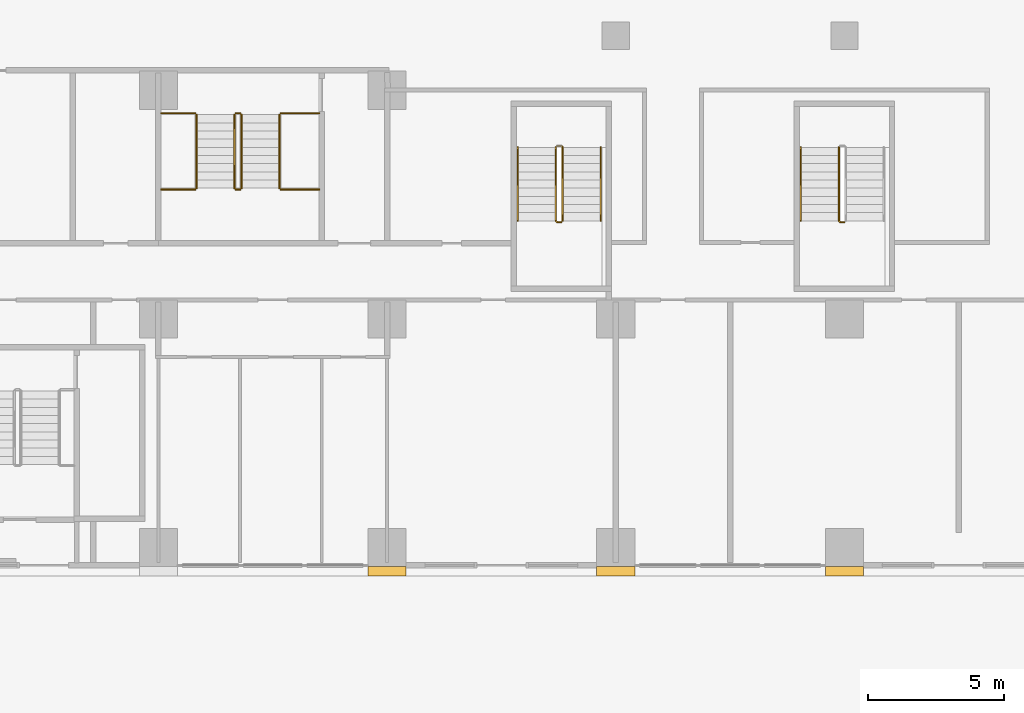
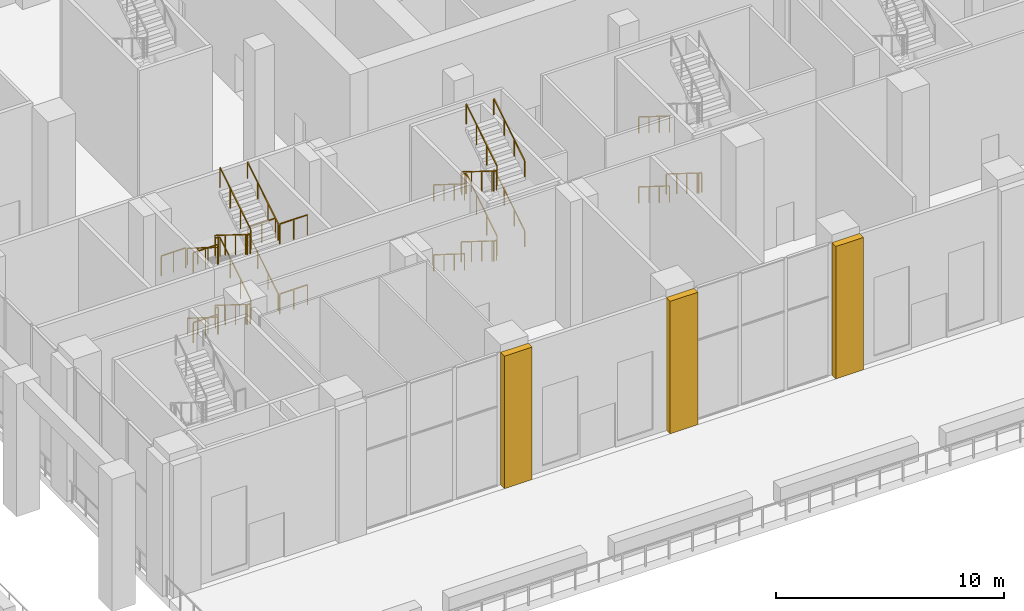
# One storey, part 37 of 53: 26 railings, 3 coverings.
"""IFC4 building model written with IfcOpenShell, lengths in metres."""

import ifcopenshell
import ifcopenshell.guid

model = None  # the IFC model being written
_history = None  # IfcOwnerHistory: only IFC2X3 demands one
_inside = {}  # id of a spatial element -> (the spatial element, [elements in it])
_under = {}  # id of a project, library or spatial element -> (it, [spatial elements below it])
_declared = {}  # id of a project -> (the project, [libraries it declares])
_typed = {}  # id of a type object -> (the type object, [elements of that type])
_made_of = {}  # id of a material, layer set ... -> (it, [elements and type objects made of it])


def new_model(schema):
    """Start an empty IFC model of exactly this schema.

    Asked for "IFC4X3", IfcOpenShell would pick the latest addendum, in which some entities
    have other attributes; the version numbers below select the first issue.
    IFC2X3 requires an IfcOwnerHistory on every rooted entity: one is made here for all.
    """
    global model, _history
    if schema == "IFC4X3":
        model = ifcopenshell.file(schema_version=(4, 3, 0, 0))
    else:
        model = ifcopenshell.file(schema=schema)
    _inside.clear()
    _under.clear()
    _declared.clear()
    _typed.clear()
    _made_of.clear()
    _history = None
    if model.schema == "IFC2X3":
        org = make("IfcOrganization", Name="unknown")
        user = make(
            "IfcPersonAndOrganization",
            ThePerson=make("IfcPerson", FamilyName="unknown"),
            TheOrganization=org,
        )
        app = make(
            "IfcApplication",
            ApplicationDeveloper=org,
            Version="unknown",
            ApplicationFullName="unknown",
            ApplicationIdentifier="unknown",
        )
        _history = make(
            "IfcOwnerHistory",
            OwningUser=user,
            OwningApplication=app,
            ChangeAction="ADDED",
            CreationDate=0,
        )
    return model


def make(cls, **values):
    """One entity of the class cls with the attributes given. An attribute that is None is left unset."""
    return model.create_entity(
        cls, **{name: value for name, value in values.items() if value is not None}
    )


def rooted(cls, **values):
    """An entity with a GlobalId (a new one), such as an element, a storey or a relation."""
    return make(cls, GlobalId=ifcopenshell.guid.new(), OwnerHistory=_history, **values)


def si_unit(unit_type, name, prefix=None):
    """IfcSIUnit, for example si_unit("LENGTHUNIT", "METRE", prefix="MILLI")."""
    return make("IfcSIUnit", UnitType=unit_type, Prefix=prefix, Name=name)


def assignment(units):
    """IfcUnitAssignment: the units of a project."""
    return None if units is None else make("IfcUnitAssignment", Units=units)


def point(xyz):
    """IfcCartesianPoint."""
    return None if xyz is None else make("IfcCartesianPoint", Coordinates=xyz)


def direction(xyz):
    """IfcDirection."""
    return None if xyz is None else make("IfcDirection", DirectionRatios=xyz)


def frame(location, z_axis=None, x_axis=None):
    """IfcAxis2Placement3D, a coordinate frame: its origin and axes. An axis left out is left unset."""
    return make(
        "IfcAxis2Placement3D",
        Location=point(location),
        Axis=direction(z_axis),
        RefDirection=direction(x_axis),
    )


def frame_2d(location, x_axis=None):
    """IfcAxis2Placement2D, a coordinate frame in the plane: its origin and x axis."""
    return make(
        "IfcAxis2Placement2D", Location=point(location), RefDirection=direction(x_axis)
    )


def origin():
    """The frame at (0, 0, 0) with its axes left unset."""
    return frame((0.0, 0.0, 0.0))


def origin_2d():
    """The frame at (0, 0) in the plane with its x axis left unset."""
    return frame_2d((0.0, 0.0))


def place(relative_to, where):
    """IfcLocalPlacement: puts the frame where relative to a parent placement (None: the world)."""
    return make(
        "IfcLocalPlacement", PlacementRelTo=relative_to, RelativePlacement=where
    )


def context(
    kind, dimensions, precision=None, world=None, true_north=None, identifier=None
):
    """IfcGeometricRepresentationContext, for example the 3D "Model" context."""
    return make(
        "IfcGeometricRepresentationContext",
        ContextIdentifier=identifier,
        ContextType=kind,
        CoordinateSpaceDimension=dimensions,
        Precision=precision,
        WorldCoordinateSystem=world,
        TrueNorth=true_north,
    )


def subcontext(parent, identifier, kind, view, scale=None):
    """IfcGeometricRepresentationSubContext, for example "Body" below "Model"."""
    return make(
        "IfcGeometricRepresentationSubContext",
        ContextIdentifier=identifier,
        ContextType=kind,
        ParentContext=parent,
        TargetScale=scale,
        TargetView=view,
    )


def project(units=None, contexts=None):
    """IfcProject with its units and contexts."""
    return rooted(
        "IfcProject",
        Name="project",
        RepresentationContexts=contexts,
        UnitsInContext=assignment(units),
    )


def spatial(cls, under=None, at=None, **own):
    """A site, building, storey or space (cls), placed at a placement, below another one or the project."""
    s = rooted(cls, ObjectPlacement=at, **own)
    if under is not None:
        _under.setdefault(under.id(), (under, []))[1].append(s)
    return s


def polyline(points):
    """IfcPolyline through the points."""
    return make("IfcPolyline", Points=[point(p) for p in points])


def profile(cls, at=None, kind="AREA", **sizes):
    """A parametric profile (cls). Its sizes go by their IFC names, for example OverallWidth=200.0."""
    return make(cls, ProfileType=kind, Position=at, **sizes)


def rectangle(**sizes):
    """IfcRectangleProfileDef."""
    return profile("IfcRectangleProfileDef", **sizes)


def outline(outer, holes=None, kind="AREA"):
    """IfcArbitraryClosedProfileDef: a profile drawn as a closed curve; with holes, ...WithVoids."""
    if holes is None:
        return make("IfcArbitraryClosedProfileDef", ProfileType=kind, OuterCurve=outer)
    return make(
        "IfcArbitraryProfileDefWithVoids",
        ProfileType=kind,
        OuterCurve=outer,
        InnerCurves=holes,
    )


def extrude(swept, where, along, depth):
    """IfcExtrudedAreaSolid: the profile swept, set in the frame where, extruded along a direction by depth."""
    return make(
        "IfcExtrudedAreaSolid",
        SweptArea=swept,
        Position=where,
        ExtrudedDirection=direction(along),
        Depth=depth,
    )


def shape(context_of_items, identifier, shape_type, items):
    """IfcShapeRepresentation: the items that make up one representation, for example the "Body"."""
    return make(
        "IfcShapeRepresentation",
        ContextOfItems=context_of_items,
        RepresentationIdentifier=identifier,
        RepresentationType=shape_type,
        Items=items,
    )


def material(Name=None, Category=None):
    """IfcMaterial."""
    return make("IfcMaterial", Name=Name, Category=Category)


def made_of(thing, what):
    """Note that an element or type object is made of a material, layer set ...; save() writes the relation."""
    if what is not None:
        _made_of.setdefault(what.id(), (what, []))[1].append(thing)
    return thing


def type_object(cls, material=None, **own):
    """A type object (cls), such as IfcWallType, which elements share."""
    return made_of(rooted(cls, **own), material)


def element(
    cls,
    number,
    at=None,
    inside=None,
    cuts=None,
    type_object=None,
    material=None,
    context=None,
    identifier="Body",
    shape_type=None,
    held_by="IfcProductDefinitionShape",
    body=None,
    shapes=None,
    **own,
):
    """One element of the class cls, such as IfcWall. Its Tag is "e" and its number.

    at: its placement. inside: the storey or other place that contains it. cuts: it is an
    opening in that element (IfcRelVoidsElement). A single representation is given by context,
    identifier, shape_type and body (its items); several are given by shapes. held_by: the class
    of the entity that holds the representations. save() writes the other relations.
    """
    e = rooted(cls, Tag="e%d" % number, ObjectPlacement=at, **own)
    if body is not None:
        shapes = [shape(context, identifier, shape_type, body)]
    if shapes is not None:
        e.Representation = make(held_by, Representations=shapes)
    if inside is not None:
        _inside.setdefault(inside.id(), (inside, []))[1].append(e)
    if cuts is not None:
        rooted(
            "IfcRelVoidsElement", RelatingBuildingElement=cuts, RelatedOpeningElement=e
        )
    if type_object is not None:
        _typed.setdefault(type_object.id(), (type_object, []))[1].append(e)
    return made_of(e, material)


def aggregate(whole, parts):
    """IfcRelAggregates: a whole, such as a stair, and the parts it consists of."""
    return rooted("IfcRelAggregates", RelatingObject=whole, RelatedObjects=parts)


def save(model, path):
    """Write the relations noted so far, then the file.

    IfcRelAggregates (storeys below a building ...), IfcRelContainedInSpatialStructure (elements
    in a storey), IfcRelDefinesByType, IfcRelAssociatesMaterial and IfcRelDeclares: one each for
    every whole, place, type object, material and project.
    """
    for whole, parts in _under.values():
        aggregate(whole, parts)
    for where, things in _inside.values():
        rooted(
            "IfcRelContainedInSpatialStructure",
            RelatedElements=things,
            RelatingStructure=where,
        )
    for kind, things in _typed.values():
        rooted("IfcRelDefinesByType", RelatedObjects=things, RelatingType=kind)
    for what, things in _made_of.values():
        rooted("IfcRelAssociatesMaterial", RelatedObjects=things, RelatingMaterial=what)
    for by, libraries in _declared.values():
        rooted("IfcRelDeclares", RelatingContext=by, RelatedDefinitions=libraries)
    model.write(path)


model = new_model("IFC4")

# Units and contexts
model_context = context("Model", 3, precision=1e-05, world=origin(), true_north=direction((0.0, 1.0)))
body_context = subcontext(model_context, "Body", "Model", "MODEL_VIEW")
ifc_project = project(units=[si_unit("LENGTHUNIT", "METRE"), si_unit("AREAUNIT", "SQUARE_METRE"), si_unit("VOLUMEUNIT", "CUBIC_METRE"), si_unit("PLANEANGLEUNIT", "RADIAN"), si_unit("MASSUNIT", "GRAM", prefix="KILO")], contexts=[model_context])

# Site, building, storey
site_placement = place(None, origin())
site = spatial("IfcSite", under=ifc_project, at=site_placement, CompositionType="ELEMENT")
building_placement = place(site_placement, origin())
building = spatial("IfcBuilding", under=site, at=building_placement, Name="Vermilion Ogive Tower", CompositionType="ELEMENT")
storey_placement = place(building_placement, origin())
storey = spatial("IfcBuildingStorey", under=building, at=storey_placement, Name="L00", CompositionType="ELEMENT", Elevation=0.0)

# Railings
ifc_material_1 = material(Name="Steel S355 painted", Category="steel")
railing_type_1 = type_object("IfcRailingType", Name="Stair guard 1100", PredefinedType="GUARDRAIL", material=ifc_material_1)
railing_1_placement = place(storey_placement, frame((-10.60009765625, -14.699951171875, 0.1875)))
element("IfcRailing", 1, at=railing_1_placement, inside=storey, type_object=railing_type_1, Name="L00 ST3 stair guard 1", PredefinedType="GUARDRAIL", context=body_context, shape_type="SweptSolid", body=[
    extrude(rectangle(XDim=0.048095703125, YDim=0.048095703125, at=origin_2d()), frame((0.0, 0.0, 1.076171875), z_axis=(0.0, -0.847993996163, 0.530005832488), x_axis=(1.0, 0.0, 0.0)), (0.0, 0.0, 1.0), 3.183837890625),
    extrude(rectangle(XDim=0.048095703125, YDim=0.048095703125, at=origin_2d()), frame((0.0, -2.699951171875, 2.763671875), z_axis=(0.707106781187, -0.707106781187, 0.0), x_axis=(0.707106781187, 0.707106781187, 0.0)), (0.0, 0.0, 1.0), 0.07080078125),
    extrude(rectangle(XDim=0.048095703125, YDim=0.048095703125, at=origin_2d()), frame((0.050048828125, -2.75, 2.763671875), z_axis=(1.0, 0.0, 0.0), x_axis=(0.0, 1.0, 0.0)), (0.0, 0.0, 1.0), 0.150146484375),
    extrude(rectangle(XDim=0.0419921875, YDim=0.0419921875, at=origin_2d()), origin(), (0.0, 0.0, 1.0), 1.052001953125),
    extrude(rectangle(XDim=0.0419921875, YDim=0.0419921875, at=origin_2d()), frame((0.0, -0.89990234375, 0.5625)), (0.0, 0.0, 1.0), 1.052001953125),
    extrude(rectangle(XDim=0.0419921875, YDim=0.0419921875, at=origin_2d()), frame((0.0, -1.800048828125, 1.125)), (0.0, 0.0, 1.0), 1.052001953125),
    extrude(rectangle(XDim=0.0419921875, YDim=0.0419921875, at=origin_2d()), frame((0.0, -2.699951171875, 1.6875)), (0.0, 0.0, 1.0), 1.052001953125),
    extrude(rectangle(XDim=0.0419921875, YDim=0.0419921875, at=origin_2d()), frame((0.050048828125, -2.75, 1.6875)), (0.0, 0.0, 1.0), 1.052001953125),
    extrude(rectangle(XDim=0.0419921875, YDim=0.0419921875, at=origin_2d()), frame((0.2001953125, -2.75, 1.6875)), (0.0, 0.0, 1.0), 1.052001953125),
])
railing_2_placement = place(storey_placement, frame((-10.35009765625, -17.39990234375, 2.0625)))
element("IfcRailing", 2, at=railing_2_placement, inside=storey, type_object=railing_type_1, Name="L00 ST3 stair guard 3", PredefinedType="GUARDRAIL", context=body_context, shape_type="SweptSolid", body=[
    extrude(rectangle(XDim=0.048095703125, YDim=0.048095703125, at=origin_2d()), frame((0.0, 0.0, 1.076171875), z_axis=(0.0, 0.847993996163, 0.530005832488), x_axis=(-1.0, 0.0, 0.0)), (0.0, 0.0, 1.0), 3.183837890625),
    extrude(rectangle(XDim=0.048095703125, YDim=0.048095703125, at=origin_2d()), frame((0.0, 2.699951171875, 2.763671875), z_axis=(-0.705375805398, 0.708833529934, 0.0), x_axis=(-0.708833529934, -0.705375805398, 0.0)), (0.0, 0.0, 1.0), 0.070556640625),
    extrude(rectangle(XDim=0.048095703125, YDim=0.048095703125, at=origin_2d()), frame((-0.0498046875, 2.75, 2.763671875), z_axis=(-1.0, 0.0, 0.0), x_axis=(0.0, -1.0, 0.0)), (0.0, 0.0, 1.0), 0.150146484375),
    extrude(rectangle(XDim=0.0419921875, YDim=0.0419921875, at=origin_2d()), origin(), (0.0, 0.0, 1.0), 1.052001953125),
    extrude(rectangle(XDim=0.0419921875, YDim=0.0419921875, at=origin_2d()), frame((0.0, 0.89990234375, 0.5625)), (0.0, 0.0, 1.0), 1.052001953125),
    extrude(rectangle(XDim=0.0419921875, YDim=0.0419921875, at=origin_2d()), frame((0.0, 1.800048828125, 1.125)), (0.0, 0.0, 1.0), 1.052001953125),
    extrude(rectangle(XDim=0.0419921875, YDim=0.0419921875, at=origin_2d()), frame((0.0, 2.699951171875, 1.6875)), (0.0, 0.0, 1.0), 1.052001953125),
    extrude(rectangle(XDim=0.0419921875, YDim=0.0419921875, at=origin_2d()), frame((-0.0498046875, 2.75, 1.6875)), (0.0, 0.0, 1.0), 1.052001953125),
    extrude(rectangle(XDim=0.0419921875, YDim=0.0419921875, at=origin_2d()), frame((-0.199951171875, 2.75, 1.6875)), (0.0, 0.0, 1.0), 1.052001953125),
])
railing_3_placement = place(storey_placement, frame((-10.60009765625, -14.699951171875, 3.9375)))
element("IfcRailing", 3, at=railing_3_placement, inside=storey, type_object=railing_type_1, Name="L00 ST3 stair guard 5", PredefinedType="GUARDRAIL", context=body_context, shape_type="SweptSolid", body=[
    extrude(rectangle(XDim=0.048095703125, YDim=0.048095703125, at=origin_2d()), frame((0.0, 0.0, 1.076171875), z_axis=(0.0, -0.847993996163, 0.530005832488), x_axis=(1.0, 0.0, 0.0)), (0.0, 0.0, 1.0), 3.183837890625),
    extrude(rectangle(XDim=0.048095703125, YDim=0.048095703125, at=origin_2d()), frame((0.0, -2.699951171875, 2.763671875), z_axis=(0.707106781187, -0.707106781187, 0.0), x_axis=(0.707106781187, 0.707106781187, 0.0)), (0.0, 0.0, 1.0), 0.07080078125),
    extrude(rectangle(XDim=0.048095703125, YDim=0.048095703125, at=origin_2d()), frame((0.050048828125, -2.75, 2.763671875), z_axis=(1.0, 0.0, 0.0), x_axis=(0.0, 1.0, 0.0)), (0.0, 0.0, 1.0), 0.150146484375),
    extrude(rectangle(XDim=0.0419921875, YDim=0.0419921875, at=origin_2d()), origin(), (0.0, 0.0, 1.0), 1.052001953125),
    extrude(rectangle(XDim=0.0419921875, YDim=0.0419921875, at=origin_2d()), frame((0.0, -0.89990234375, 0.5625)), (0.0, 0.0, 1.0), 1.052001953125),
    extrude(rectangle(XDim=0.0419921875, YDim=0.0419921875, at=origin_2d()), frame((0.0, -1.800048828125, 1.125)), (0.0, 0.0, 1.0), 1.052001953125),
    extrude(rectangle(XDim=0.0419921875, YDim=0.0419921875, at=origin_2d()), frame((0.0, -2.699951171875, 1.6875)), (0.0, 0.0, 1.0), 1.052001953125),
    extrude(rectangle(XDim=0.0419921875, YDim=0.0419921875, at=origin_2d()), frame((0.050048828125, -2.75, 1.6875)), (0.0, 0.0, 1.0), 1.052001953125),
    extrude(rectangle(XDim=0.0419921875, YDim=0.0419921875, at=origin_2d()), frame((0.2001953125, -2.75, 1.6875)), (0.0, 0.0, 1.0), 1.052001953125),
])
railing_4_placement = place(storey_placement, frame((-10.35009765625, -17.39990234375, 5.8125)))
element("IfcRailing", 4, at=railing_4_placement, inside=storey, type_object=railing_type_1, Name="L00 ST3 stair guard 7", PredefinedType="GUARDRAIL", context=body_context, shape_type="SweptSolid", body=[
    extrude(rectangle(XDim=0.048095703125, YDim=0.048095703125, at=origin_2d()), frame((0.0, 0.0, 1.076171875), z_axis=(0.0, 0.847993996163, 0.530005832488), x_axis=(-1.0, 0.0, 0.0)), (0.0, 0.0, 1.0), 3.183837890625),
    extrude(rectangle(XDim=0.0419921875, YDim=0.0419921875, at=origin_2d()), origin(), (0.0, 0.0, 1.0), 1.052001953125),
    extrude(rectangle(XDim=0.0419921875, YDim=0.0419921875, at=origin_2d()), frame((0.0, 0.89990234375, 0.5625)), (0.0, 0.0, 1.0), 1.052001953125),
    extrude(rectangle(XDim=0.0419921875, YDim=0.0419921875, at=origin_2d()), frame((0.0, 1.800048828125, 1.125)), (0.0, 0.0, 1.0), 1.052001953125),
    extrude(rectangle(XDim=0.0419921875, YDim=0.0419921875, at=origin_2d()), frame((0.0, 2.699951171875, 1.6875)), (0.0, 0.0, 1.0), 1.052001953125),
])
railing_5_placement = place(storey_placement, frame((-0.199951171875, -14.699951171875, 0.1875)))
element("IfcRailing", 5, at=railing_5_placement, inside=storey, type_object=railing_type_1, Name="L00 ST4 stair guard 1", PredefinedType="GUARDRAIL", context=body_context, shape_type="SweptSolid", body=[
    extrude(rectangle(XDim=0.048095703125, YDim=0.048095703125, at=origin_2d()), frame((0.0, 0.0, 1.076171875), z_axis=(0.0, -0.847993996163, 0.530005832488), x_axis=(1.0, 0.0, 0.0)), (0.0, 0.0, 1.0), 3.183837890625),
    extrude(rectangle(XDim=0.048095703125, YDim=0.048095703125, at=origin_2d()), frame((0.0, -2.699951171875, 2.763671875), z_axis=(0.707106781187, -0.707106781187, 0.0), x_axis=(0.707106781187, 0.707106781187, 0.0)), (0.0, 0.0, 1.0), 0.07080078125),
    extrude(rectangle(XDim=0.048095703125, YDim=0.048095703125, at=origin_2d()), frame((0.050048828125, -2.75, 2.763671875), z_axis=(1.0, 0.0, 0.0), x_axis=(0.0, 1.0, 0.0)), (0.0, 0.0, 1.0), 0.14990234375),
    extrude(rectangle(XDim=0.0419921875, YDim=0.0419921875, at=origin_2d()), origin(), (0.0, 0.0, 1.0), 1.052001953125),
    extrude(rectangle(XDim=0.0419921875, YDim=0.0419921875, at=origin_2d()), frame((0.0, -0.89990234375, 0.5625)), (0.0, 0.0, 1.0), 1.052001953125),
    extrude(rectangle(XDim=0.0419921875, YDim=0.0419921875, at=origin_2d()), frame((0.0, -1.800048828125, 1.125)), (0.0, 0.0, 1.0), 1.052001953125),
    extrude(rectangle(XDim=0.0419921875, YDim=0.0419921875, at=origin_2d()), frame((0.0, -2.699951171875, 1.6875)), (0.0, 0.0, 1.0), 1.052001953125),
    extrude(rectangle(XDim=0.0419921875, YDim=0.0419921875, at=origin_2d()), frame((0.050048828125, -2.75, 1.6875)), (0.0, 0.0, 1.0), 1.052001953125),
    extrude(rectangle(XDim=0.0419921875, YDim=0.0419921875, at=origin_2d()), frame((0.199951171875, -2.75, 1.6875)), (0.0, 0.0, 1.0), 1.052001953125),
])
railing_6_placement = place(storey_placement, frame((-22.39990234375, -13.5, 0.1875)))
element("IfcRailing", 6, at=railing_6_placement, inside=storey, type_object=railing_type_1, Name="L00 PS4 stair guard 1", PredefinedType="GUARDRAIL", context=body_context, shape_type="SweptSolid", body=[
    extrude(rectangle(XDim=0.048095703125, YDim=0.048095703125, at=origin_2d()), frame((0.0, 0.0, 1.076171875), z_axis=(0.0, -0.847993996163, 0.530005832488), x_axis=(1.0, 0.0, 0.0)), (0.0, 0.0, 1.0), 3.183837890625),
    extrude(rectangle(XDim=0.048095703125, YDim=0.048095703125, at=origin_2d()), frame((0.0, -2.699951171875, 2.763671875), z_axis=(0.705375805398, -0.708833529934, 0.0), x_axis=(0.708833529934, 0.705375805398, 0.0)), (0.0, 0.0, 1.0), 0.070556640625),
    extrude(rectangle(XDim=0.048095703125, YDim=0.048095703125, at=origin_2d()), frame((0.0498046875, -2.75, 2.763671875), z_axis=(1.0, 0.0, 0.0), x_axis=(0.0, 1.0, 0.0)), (0.0, 0.0, 1.0), 0.150146484375),
    extrude(rectangle(XDim=0.0419921875, YDim=0.0419921875, at=origin_2d()), origin(), (0.0, 0.0, 1.0), 1.052001953125),
    extrude(rectangle(XDim=0.0419921875, YDim=0.0419921875, at=origin_2d()), frame((0.0, -0.89990234375, 0.5625)), (0.0, 0.0, 1.0), 1.052001953125),
    extrude(rectangle(XDim=0.0419921875, YDim=0.0419921875, at=origin_2d()), frame((0.0, -1.800048828125, 1.125)), (0.0, 0.0, 1.0), 1.052001953125),
    extrude(rectangle(XDim=0.0419921875, YDim=0.0419921875, at=origin_2d()), frame((0.0, -2.699951171875, 1.6875)), (0.0, 0.0, 1.0), 1.052001953125),
    extrude(rectangle(XDim=0.0419921875, YDim=0.0419921875, at=origin_2d()), frame((0.0498046875, -2.75, 1.6875)), (0.0, 0.0, 1.0), 1.052001953125),
    extrude(rectangle(XDim=0.0419921875, YDim=0.0419921875, at=origin_2d()), frame((0.199951171875, -2.75, 1.6875)), (0.0, 0.0, 1.0), 1.052001953125),
])
railing_7_placement = place(storey_placement, frame((-22.14990234375, -16.199951171875, 2.0625)))
element("IfcRailing", 7, at=railing_7_placement, inside=storey, type_object=railing_type_1, Name="L00 PS4 stair guard 3", PredefinedType="GUARDRAIL", context=body_context, shape_type="SweptSolid", body=[
    extrude(rectangle(XDim=0.048095703125, YDim=0.048095703125, at=origin_2d()), frame((0.0, 0.0, 1.076171875), z_axis=(0.0, 0.847993996163, 0.530005832488), x_axis=(-1.0, 0.0, 0.0)), (0.0, 0.0, 1.0), 3.183837890625),
    extrude(rectangle(XDim=0.048095703125, YDim=0.048095703125, at=origin_2d()), frame((0.0, 2.699951171875, 2.763671875), z_axis=(-0.707106781187, 0.707106781187, 0.0), x_axis=(-0.707106781187, -0.707106781187, 0.0)), (0.0, 0.0, 1.0), 0.07080078125),
    extrude(rectangle(XDim=0.048095703125, YDim=0.048095703125, at=origin_2d()), frame((-0.050048828125, 2.75, 2.763671875), z_axis=(-1.0, 0.0, 0.0), x_axis=(0.0, -1.0, 0.0)), (0.0, 0.0, 1.0), 0.150146484375),
    extrude(rectangle(XDim=0.0419921875, YDim=0.0419921875, at=origin_2d()), origin(), (0.0, 0.0, 1.0), 1.052001953125),
    extrude(rectangle(XDim=0.0419921875, YDim=0.0419921875, at=origin_2d()), frame((0.0, 0.89990234375, 0.5625)), (0.0, 0.0, 1.0), 1.052001953125),
    extrude(rectangle(XDim=0.0419921875, YDim=0.0419921875, at=origin_2d()), frame((0.0, 1.800048828125, 1.125)), (0.0, 0.0, 1.0), 1.052001953125),
    extrude(rectangle(XDim=0.0419921875, YDim=0.0419921875, at=origin_2d()), frame((0.0, 2.699951171875, 1.6875)), (0.0, 0.0, 1.0), 1.052001953125),
    extrude(rectangle(XDim=0.0419921875, YDim=0.0419921875, at=origin_2d()), frame((-0.050048828125, 2.75, 1.6875)), (0.0, 0.0, 1.0), 1.052001953125),
    extrude(rectangle(XDim=0.0419921875, YDim=0.0419921875, at=origin_2d()), frame((-0.2001953125, 2.75, 1.6875)), (0.0, 0.0, 1.0), 1.052001953125),
])
railing_8_placement = place(storey_placement, frame((-22.39990234375, -13.5, 3.9375)))
element("IfcRailing", 8, at=railing_8_placement, inside=storey, type_object=railing_type_1, Name="L00 PS4 stair guard 5", PredefinedType="GUARDRAIL", context=body_context, shape_type="SweptSolid", body=[
    extrude(rectangle(XDim=0.048095703125, YDim=0.048095703125, at=origin_2d()), frame((0.0, 0.0, 1.076171875), z_axis=(0.0, -0.847993996163, 0.530005832488), x_axis=(1.0, 0.0, 0.0)), (0.0, 0.0, 1.0), 3.183837890625),
    extrude(rectangle(XDim=0.048095703125, YDim=0.048095703125, at=origin_2d()), frame((0.0, -2.699951171875, 2.763671875), z_axis=(0.705375805398, -0.708833529934, 0.0), x_axis=(0.708833529934, 0.705375805398, 0.0)), (0.0, 0.0, 1.0), 0.070556640625),
    extrude(rectangle(XDim=0.048095703125, YDim=0.048095703125, at=origin_2d()), frame((0.0498046875, -2.75, 2.763671875), z_axis=(1.0, 0.0, 0.0), x_axis=(0.0, 1.0, 0.0)), (0.0, 0.0, 1.0), 0.150146484375),
    extrude(rectangle(XDim=0.0419921875, YDim=0.0419921875, at=origin_2d()), origin(), (0.0, 0.0, 1.0), 1.052001953125),
    extrude(rectangle(XDim=0.0419921875, YDim=0.0419921875, at=origin_2d()), frame((0.0, -0.89990234375, 0.5625)), (0.0, 0.0, 1.0), 1.052001953125),
    extrude(rectangle(XDim=0.0419921875, YDim=0.0419921875, at=origin_2d()), frame((0.0, -1.800048828125, 1.125)), (0.0, 0.0, 1.0), 1.052001953125),
    extrude(rectangle(XDim=0.0419921875, YDim=0.0419921875, at=origin_2d()), frame((0.0, -2.699951171875, 1.6875)), (0.0, 0.0, 1.0), 1.052001953125),
    extrude(rectangle(XDim=0.0419921875, YDim=0.0419921875, at=origin_2d()), frame((0.0498046875, -2.75, 1.6875)), (0.0, 0.0, 1.0), 1.052001953125),
    extrude(rectangle(XDim=0.0419921875, YDim=0.0419921875, at=origin_2d()), frame((0.199951171875, -2.75, 1.6875)), (0.0, 0.0, 1.0), 1.052001953125),
])
railing_9_placement = place(storey_placement, frame((-22.14990234375, -16.199951171875, 5.8125)))
element("IfcRailing", 9, at=railing_9_placement, inside=storey, type_object=railing_type_1, Name="L00 PS4 stair guard 7", PredefinedType="GUARDRAIL", context=body_context, shape_type="SweptSolid", body=[
    extrude(rectangle(XDim=0.048095703125, YDim=0.048095703125, at=origin_2d()), frame((0.0, 0.0, 1.076171875), z_axis=(0.0, 0.847993996163, 0.530005832488), x_axis=(-1.0, 0.0, 0.0)), (0.0, 0.0, 1.0), 3.183837890625),
    extrude(rectangle(XDim=0.0419921875, YDim=0.0419921875, at=origin_2d()), origin(), (0.0, 0.0, 1.0), 1.052001953125),
    extrude(rectangle(XDim=0.0419921875, YDim=0.0419921875, at=origin_2d()), frame((0.0, 0.89990234375, 0.5625)), (0.0, 0.0, 1.0), 1.052001953125),
    extrude(rectangle(XDim=0.0419921875, YDim=0.0419921875, at=origin_2d()), frame((0.0, 1.800048828125, 1.125)), (0.0, 0.0, 1.0), 1.052001953125),
    extrude(rectangle(XDim=0.0419921875, YDim=0.0419921875, at=origin_2d()), frame((0.0, 2.699951171875, 1.6875)), (0.0, 0.0, 1.0), 1.052001953125),
])
railing_10_placement = place(storey_placement, frame((-22.35009765625, -13.449951171875, 0.0)))
element("IfcRailing", 10, at=railing_10_placement, inside=storey, type_object=railing_type_1, Name="L00 PS4 stair guard 8", PredefinedType="GUARDRAIL", context=body_context, shape_type="SweptSolid", body=[
    extrude(rectangle(XDim=0.048095703125, YDim=0.048095703125, at=origin_2d()), frame((0.0, 0.0, 1.076171875), z_axis=(1.0, 0.0, 0.0), x_axis=(0.0, 1.0, 0.0)), (0.0, 0.0, 1.0), 0.150146484375),
    extrude(rectangle(XDim=0.0419921875, YDim=0.0419921875, at=origin_2d()), origin(), (0.0, 0.0, 1.0), 1.052001953125),
    extrude(rectangle(XDim=0.0419921875, YDim=0.0419921875, at=origin_2d()), frame((0.150146484375, 0.0, 0.0)), (0.0, 0.0, 1.0), 1.052001953125),
])
railing_11_placement = place(storey_placement, frame((-25.099853515625, -16.25, 1.875)))
element("IfcRailing", 11, at=railing_11_placement, inside=storey, type_object=railing_type_1, Name="L00 landing guard", PredefinedType="GUARDRAIL", context=body_context, shape_type="SweptSolid", body=[
    extrude(rectangle(XDim=0.048095703125, YDim=0.048095703125, at=origin_2d()), frame((0.0, 0.0, 1.076171875), z_axis=(1.0, 0.0, 0.0), x_axis=(0.0, 1.0, 0.0)), (0.0, 0.0, 1.0), 1.249755859375),
    extrude(rectangle(XDim=0.0419921875, YDim=0.0419921875, at=origin_2d()), origin(), (0.0, 0.0, 1.0), 1.052001953125),
    extrude(rectangle(XDim=0.0419921875, YDim=0.0419921875, at=origin_2d()), frame((0.625, 0.0, 0.0)), (0.0, 0.0, 1.0), 1.052001953125),
    extrude(rectangle(XDim=0.0419921875, YDim=0.0419921875, at=origin_2d()), frame((1.249755859375, 0.0, 0.0)), (0.0, 0.0, 1.0), 1.052001953125),
])
railing_12_placement = place(storey_placement, frame((-20.699951171875, -16.25, 1.875)))
element("IfcRailing", 12, at=railing_12_placement, inside=storey, type_object=railing_type_1, Name="L00 landing guard", PredefinedType="GUARDRAIL", context=body_context, shape_type="SweptSolid", body=[
    extrude(rectangle(XDim=0.048095703125, YDim=0.048095703125, at=origin_2d()), frame((0.0, 0.0, 1.076171875), z_axis=(1.0, 0.0, 0.0), x_axis=(0.0, 1.0, 0.0)), (0.0, 0.0, 1.0), 1.39990234375),
    extrude(rectangle(XDim=0.0419921875, YDim=0.0419921875, at=origin_2d()), origin(), (0.0, 0.0, 1.0), 1.052001953125),
    extrude(rectangle(XDim=0.0419921875, YDim=0.0419921875, at=origin_2d()), frame((0.699951171875, 0.0, 0.0)), (0.0, 0.0, 1.0), 1.052001953125),
    extrude(rectangle(XDim=0.0419921875, YDim=0.0419921875, at=origin_2d()), frame((1.39990234375, 0.0, 0.0)), (0.0, 0.0, 1.0), 1.052001953125),
])
railing_13_placement = place(storey_placement, frame((-25.099853515625, -13.449951171875, 3.75)))
element("IfcRailing", 13, at=railing_13_placement, inside=storey, type_object=railing_type_1, Name="L00 landing guard", PredefinedType="GUARDRAIL", context=body_context, shape_type="SweptSolid", body=[
    extrude(rectangle(XDim=0.048095703125, YDim=0.048095703125, at=origin_2d()), frame((0.0, 0.0, 1.076171875), z_axis=(1.0, 0.0, 0.0), x_axis=(0.0, 1.0, 0.0)), (0.0, 0.0, 1.0), 1.249755859375),
    extrude(rectangle(XDim=0.0419921875, YDim=0.0419921875, at=origin_2d()), origin(), (0.0, 0.0, 1.0), 1.052001953125),
    extrude(rectangle(XDim=0.0419921875, YDim=0.0419921875, at=origin_2d()), frame((0.625, 0.0, 0.0)), (0.0, 0.0, 1.0), 1.052001953125),
    extrude(rectangle(XDim=0.0419921875, YDim=0.0419921875, at=origin_2d()), frame((1.249755859375, 0.0, 0.0)), (0.0, 0.0, 1.0), 1.052001953125),
])
railing_14_placement = place(storey_placement, frame((-20.699951171875, -13.449951171875, 3.75)))
element("IfcRailing", 14, at=railing_14_placement, inside=storey, type_object=railing_type_1, Name="L00 landing guard", PredefinedType="GUARDRAIL", context=body_context, shape_type="SweptSolid", body=[
    extrude(rectangle(XDim=0.048095703125, YDim=0.048095703125, at=origin_2d()), frame((0.0, 0.0, 1.076171875), z_axis=(1.0, 0.0, 0.0), x_axis=(0.0, 1.0, 0.0)), (0.0, 0.0, 1.0), 1.39990234375),
    extrude(rectangle(XDim=0.0419921875, YDim=0.0419921875, at=origin_2d()), origin(), (0.0, 0.0, 1.0), 1.052001953125),
    extrude(rectangle(XDim=0.0419921875, YDim=0.0419921875, at=origin_2d()), frame((0.699951171875, 0.0, 0.0)), (0.0, 0.0, 1.0), 1.052001953125),
    extrude(rectangle(XDim=0.0419921875, YDim=0.0419921875, at=origin_2d()), frame((1.39990234375, 0.0, 0.0)), (0.0, 0.0, 1.0), 1.052001953125),
])
railing_15_placement = place(storey_placement, frame((-25.099853515625, -16.25, 5.625)))
element("IfcRailing", 15, at=railing_15_placement, inside=storey, type_object=railing_type_1, Name="L00 landing guard", PredefinedType="GUARDRAIL", context=body_context, shape_type="SweptSolid", body=[
    extrude(rectangle(XDim=0.048095703125, YDim=0.048095703125, at=origin_2d()), frame((0.0, 0.0, 1.076171875), z_axis=(1.0, 0.0, 0.0), x_axis=(0.0, 1.0, 0.0)), (0.0, 0.0, 1.0), 1.249755859375),
    extrude(rectangle(XDim=0.0419921875, YDim=0.0419921875, at=origin_2d()), origin(), (0.0, 0.0, 1.0), 1.052001953125),
    extrude(rectangle(XDim=0.0419921875, YDim=0.0419921875, at=origin_2d()), frame((0.625, 0.0, 0.0)), (0.0, 0.0, 1.0), 1.052001953125),
    extrude(rectangle(XDim=0.0419921875, YDim=0.0419921875, at=origin_2d()), frame((1.249755859375, 0.0, 0.0)), (0.0, 0.0, 1.0), 1.052001953125),
])
railing_16_placement = place(storey_placement, frame((-20.699951171875, -16.25, 5.625)))
element("IfcRailing", 16, at=railing_16_placement, inside=storey, type_object=railing_type_1, Name="L00 landing guard", PredefinedType="GUARDRAIL", context=body_context, shape_type="SweptSolid", body=[
    extrude(rectangle(XDim=0.048095703125, YDim=0.048095703125, at=origin_2d()), frame((0.0, 0.0, 1.076171875), z_axis=(1.0, 0.0, 0.0), x_axis=(0.0, 1.0, 0.0)), (0.0, 0.0, 1.0), 1.39990234375),
    extrude(rectangle(XDim=0.0419921875, YDim=0.0419921875, at=origin_2d()), origin(), (0.0, 0.0, 1.0), 1.052001953125),
    extrude(rectangle(XDim=0.0419921875, YDim=0.0419921875, at=origin_2d()), frame((0.699951171875, 0.0, 0.0)), (0.0, 0.0, 1.0), 1.052001953125),
    extrude(rectangle(XDim=0.0419921875, YDim=0.0419921875, at=origin_2d()), frame((1.39990234375, 0.0, 0.0)), (0.0, 0.0, 1.0), 1.052001953125),
])
ifc_material_2 = material(Name="Stainless steel", Category="steel")
railing_type_2 = type_object("IfcRailingType", Name="Stair handrail 900", PredefinedType="HANDRAIL", material=ifc_material_2)
railing_17_placement = place(storey_placement, frame((-12.0, -14.699951171875, 0.1875)))
element("IfcRailing", 17, at=railing_17_placement, inside=storey, type_object=railing_type_2, Name="L00 ST3 stair handrail 1", PredefinedType="HANDRAIL", context=body_context, shape_type="SweptSolid", body=[
    extrude(rectangle(XDim=0.048095703125, YDim=0.048095703125, at=origin_2d()), frame((0.0, 0.0, 0.8759765625), z_axis=(0.0, -0.847993996163, 0.530005832488), x_axis=(1.0, 0.0, 0.0)), (0.0, 0.0, 1.0), 3.183837890625),
    extrude(rectangle(XDim=0.0419921875, YDim=0.0419921875, at=origin_2d()), origin(), (0.0, 0.0, 1.0), 0.851806640625),
    extrude(rectangle(XDim=0.0419921875, YDim=0.0419921875, at=origin_2d()), frame((0.0, -0.89990234375, 0.5625)), (0.0, 0.0, 1.0), 0.851806640625),
    extrude(rectangle(XDim=0.0419921875, YDim=0.0419921875, at=origin_2d()), frame((0.0, -1.800048828125, 1.125)), (0.0, 0.0, 1.0), 0.851806640625),
    extrude(rectangle(XDim=0.0419921875, YDim=0.0419921875, at=origin_2d()), frame((0.0, -2.699951171875, 1.6875)), (0.0, 0.0, 1.0), 0.851806640625),
])
railing_18_placement = place(storey_placement, frame((-8.949951171875, -17.39990234375, 2.0625)))
element("IfcRailing", 18, at=railing_18_placement, inside=storey, type_object=railing_type_2, Name="L00 ST3 stair handrail 2", PredefinedType="HANDRAIL", context=body_context, shape_type="SweptSolid", body=[
    extrude(rectangle(XDim=0.048095703125, YDim=0.048095703125, at=origin_2d()), frame((0.0, 0.0, 0.8759765625), z_axis=(0.0, 0.847993996163, 0.530005832488), x_axis=(-1.0, 0.0, 0.0)), (0.0, 0.0, 1.0), 3.183837890625),
    extrude(rectangle(XDim=0.0419921875, YDim=0.0419921875, at=origin_2d()), origin(), (0.0, 0.0, 1.0), 0.851806640625),
    extrude(rectangle(XDim=0.0419921875, YDim=0.0419921875, at=origin_2d()), frame((0.0, 0.89990234375, 0.5625)), (0.0, 0.0, 1.0), 0.851806640625),
    extrude(rectangle(XDim=0.0419921875, YDim=0.0419921875, at=origin_2d()), frame((0.0, 1.800048828125, 1.125)), (0.0, 0.0, 1.0), 0.851806640625),
    extrude(rectangle(XDim=0.0419921875, YDim=0.0419921875, at=origin_2d()), frame((0.0, 2.699951171875, 1.6875)), (0.0, 0.0, 1.0), 0.851806640625),
])
railing_19_placement = place(storey_placement, frame((-12.0, -14.699951171875, 3.9375)))
element("IfcRailing", 19, at=railing_19_placement, inside=storey, type_object=railing_type_2, Name="L00 ST3 stair handrail 3", PredefinedType="HANDRAIL", context=body_context, shape_type="SweptSolid", body=[
    extrude(rectangle(XDim=0.048095703125, YDim=0.048095703125, at=origin_2d()), frame((0.0, 0.0, 0.8759765625), z_axis=(0.0, -0.847993996163, 0.530005832488), x_axis=(1.0, 0.0, 0.0)), (0.0, 0.0, 1.0), 3.183837890625),
    extrude(rectangle(XDim=0.0419921875, YDim=0.0419921875, at=origin_2d()), origin(), (0.0, 0.0, 1.0), 0.851806640625),
    extrude(rectangle(XDim=0.0419921875, YDim=0.0419921875, at=origin_2d()), frame((0.0, -0.89990234375, 0.5625)), (0.0, 0.0, 1.0), 0.851806640625),
    extrude(rectangle(XDim=0.0419921875, YDim=0.0419921875, at=origin_2d()), frame((0.0, -1.800048828125, 1.125)), (0.0, 0.0, 1.0), 0.851806640625),
    extrude(rectangle(XDim=0.0419921875, YDim=0.0419921875, at=origin_2d()), frame((0.0, -2.699951171875, 1.6875)), (0.0, 0.0, 1.0), 0.851806640625),
])
railing_20_placement = place(storey_placement, frame((-8.949951171875, -17.39990234375, 5.8125)))
element("IfcRailing", 20, at=railing_20_placement, inside=storey, type_object=railing_type_2, Name="L00 ST3 stair handrail 4", PredefinedType="HANDRAIL", context=body_context, shape_type="SweptSolid", body=[
    extrude(rectangle(XDim=0.048095703125, YDim=0.048095703125, at=origin_2d()), frame((0.0, 0.0, 0.8759765625), z_axis=(0.0, 0.847993996163, 0.530005832488), x_axis=(-1.0, 0.0, 0.0)), (0.0, 0.0, 1.0), 3.183837890625),
    extrude(rectangle(XDim=0.0419921875, YDim=0.0419921875, at=origin_2d()), origin(), (0.0, 0.0, 1.0), 0.851806640625),
    extrude(rectangle(XDim=0.0419921875, YDim=0.0419921875, at=origin_2d()), frame((0.0, 0.89990234375, 0.5625)), (0.0, 0.0, 1.0), 0.851806640625),
    extrude(rectangle(XDim=0.0419921875, YDim=0.0419921875, at=origin_2d()), frame((0.0, 1.800048828125, 1.125)), (0.0, 0.0, 1.0), 0.851806640625),
    extrude(rectangle(XDim=0.0419921875, YDim=0.0419921875, at=origin_2d()), frame((0.0, 2.699951171875, 1.6875)), (0.0, 0.0, 1.0), 0.851806640625),
])
for number, where, name in (
    (21, (-1.60009765625, -14.699951171875, 0.1875), "L00 ST4 stair handrail 1"),
    (22, (-1.60009765625, -14.699951171875, 3.9375), "L00 ST4 stair handrail 3"),
    (23, (-23.800048828125, -13.5, 0.1875), "L00 PS4 stair handrail 1"),
):
    element("IfcRailing", number, at=place(storey_placement, frame(where)), inside=storey, type_object=railing_type_2, Name=name, PredefinedType="HANDRAIL", context=body_context, shape_type="SweptSolid", body=[
        extrude(rectangle(XDim=0.048095703125, YDim=0.048095703125, at=origin_2d()), frame((0.0, 0.0, 0.8759765625), z_axis=(0.0, -0.847993996163, 0.530005832488), x_axis=(1.0, 0.0, 0.0)), (0.0, 0.0, 1.0), 3.183837890625),
        extrude(rectangle(XDim=0.0419921875, YDim=0.0419921875, at=origin_2d()), origin(), (0.0, 0.0, 1.0), 0.851806640625),
        extrude(rectangle(XDim=0.0419921875, YDim=0.0419921875, at=origin_2d()), frame((0.0, -0.89990234375, 0.5625)), (0.0, 0.0, 1.0), 0.851806640625),
        extrude(rectangle(XDim=0.0419921875, YDim=0.0419921875, at=origin_2d()), frame((0.0, -1.800048828125, 1.125)), (0.0, 0.0, 1.0), 0.851806640625),
        extrude(rectangle(XDim=0.0419921875, YDim=0.0419921875, at=origin_2d()), frame((0.0, -2.699951171875, 1.6875)), (0.0, 0.0, 1.0), 0.851806640625),
    ])
railing_21_placement = place(storey_placement, frame((-20.75, -16.199951171875, 2.0625)))
element("IfcRailing", 24, at=railing_21_placement, inside=storey, type_object=railing_type_2, Name="L00 PS4 stair handrail 2", PredefinedType="HANDRAIL", context=body_context, shape_type="SweptSolid", body=[
    extrude(rectangle(XDim=0.048095703125, YDim=0.048095703125, at=origin_2d()), frame((0.0, 0.0, 0.8759765625), z_axis=(0.0, 0.847993996163, 0.530005832488), x_axis=(-1.0, 0.0, 0.0)), (0.0, 0.0, 1.0), 3.183837890625),
    extrude(rectangle(XDim=0.0419921875, YDim=0.0419921875, at=origin_2d()), origin(), (0.0, 0.0, 1.0), 0.851806640625),
    extrude(rectangle(XDim=0.0419921875, YDim=0.0419921875, at=origin_2d()), frame((0.0, 0.89990234375, 0.5625)), (0.0, 0.0, 1.0), 0.851806640625),
    extrude(rectangle(XDim=0.0419921875, YDim=0.0419921875, at=origin_2d()), frame((0.0, 1.800048828125, 1.125)), (0.0, 0.0, 1.0), 0.851806640625),
    extrude(rectangle(XDim=0.0419921875, YDim=0.0419921875, at=origin_2d()), frame((0.0, 2.699951171875, 1.6875)), (0.0, 0.0, 1.0), 0.851806640625),
])
railing_22_placement = place(storey_placement, frame((-23.800048828125, -13.5, 3.9375)))
element("IfcRailing", 25, at=railing_22_placement, inside=storey, type_object=railing_type_2, Name="L00 PS4 stair handrail 3", PredefinedType="HANDRAIL", context=body_context, shape_type="SweptSolid", body=[
    extrude(rectangle(XDim=0.048095703125, YDim=0.048095703125, at=origin_2d()), frame((0.0, 0.0, 0.8759765625), z_axis=(0.0, -0.847993996163, 0.530005832488), x_axis=(1.0, 0.0, 0.0)), (0.0, 0.0, 1.0), 3.183837890625),
    extrude(rectangle(XDim=0.0419921875, YDim=0.0419921875, at=origin_2d()), origin(), (0.0, 0.0, 1.0), 0.851806640625),
    extrude(rectangle(XDim=0.0419921875, YDim=0.0419921875, at=origin_2d()), frame((0.0, -0.89990234375, 0.5625)), (0.0, 0.0, 1.0), 0.851806640625),
    extrude(rectangle(XDim=0.0419921875, YDim=0.0419921875, at=origin_2d()), frame((0.0, -1.800048828125, 1.125)), (0.0, 0.0, 1.0), 0.851806640625),
    extrude(rectangle(XDim=0.0419921875, YDim=0.0419921875, at=origin_2d()), frame((0.0, -2.699951171875, 1.6875)), (0.0, 0.0, 1.0), 0.851806640625),
])
railing_23_placement = place(storey_placement, frame((-20.75, -16.199951171875, 5.8125)))
element("IfcRailing", 26, at=railing_23_placement, inside=storey, type_object=railing_type_2, Name="L00 PS4 stair handrail 4", PredefinedType="HANDRAIL", context=body_context, shape_type="SweptSolid", body=[
    extrude(rectangle(XDim=0.048095703125, YDim=0.048095703125, at=origin_2d()), frame((0.0, 0.0, 0.8759765625), z_axis=(0.0, 0.847993996163, 0.530005832488), x_axis=(-1.0, 0.0, 0.0)), (0.0, 0.0, 1.0), 3.183837890625),
    extrude(rectangle(XDim=0.0419921875, YDim=0.0419921875, at=origin_2d()), origin(), (0.0, 0.0, 1.0), 0.851806640625),
    extrude(rectangle(XDim=0.0419921875, YDim=0.0419921875, at=origin_2d()), frame((0.0, 0.89990234375, 0.5625)), (0.0, 0.0, 1.0), 0.851806640625),
    extrude(rectangle(XDim=0.0419921875, YDim=0.0419921875, at=origin_2d()), frame((0.0, 1.800048828125, 1.125)), (0.0, 0.0, 1.0), 0.851806640625),
    extrude(rectangle(XDim=0.0419921875, YDim=0.0419921875, at=origin_2d()), frame((0.0, 2.699951171875, 1.6875)), (0.0, 0.0, 1.0), 0.851806640625),
])

# Coverings
ifc_material_3 = material(Name="Stone cladding", Category="masonry")
covering_type = type_object("IfcCoveringType", Name="Stone pier", PredefinedType="CLADDING", material=ifc_material_3)
covering_1_placement = place(storey_placement, origin())
element("IfcCovering", 27, at=covering_1_placement, inside=storey, type_object=covering_type, Name="Stone pier P+000-294", PredefinedType="CLADDING", context=body_context, shape_type="SweptSolid", body=[
    extrude(outline(polyline([(0.699951171875, -30.10009765625), (0.699951171875, -30.10009765625), (0.699951171875, -30.449951171875), (-0.699951171875, -30.449951171875), (-0.699951171875, -30.10009765625), (-0.699951171875, -30.10009765625), (0.699951171875, -30.10009765625)])), origin(), (0.0, 0.0, 1.0), 7.10009765625),
])
covering_2_placement = place(storey_placement, origin())
element("IfcCovering", 28, at=covering_2_placement, inside=storey, type_object=covering_type, Name="Stone pier P-084-294", PredefinedType="CLADDING", context=body_context, shape_type="SweptSolid", body=[
    extrude(outline(polyline([(-7.699951171875, -30.10009765625), (-7.699951171875, -30.449951171875), (-9.10009765625, -30.449951171875), (-9.10009765625, -30.10009765625), (-7.699951171875, -30.10009765625), (-7.699951171875, -30.10009765625)])), origin(), (0.0, 0.0, 1.0), 7.10009765625),
])
covering_3_placement = place(storey_placement, origin())
element("IfcCovering", 29, at=covering_3_placement, inside=storey, type_object=covering_type, Name="Stone pier P-168-294", PredefinedType="CLADDING", context=body_context, shape_type="SweptSolid", body=[
    extrude(outline(polyline([(-16.10009765625, -30.449951171875), (-17.5, -30.449951171875), (-17.5, -30.10009765625), (-16.10009765625, -30.10009765625), (-16.10009765625, -30.449951171875)])), origin(), (0.0, 0.0, 1.0), 7.10009765625),
])

save(model, "model.ifc")
